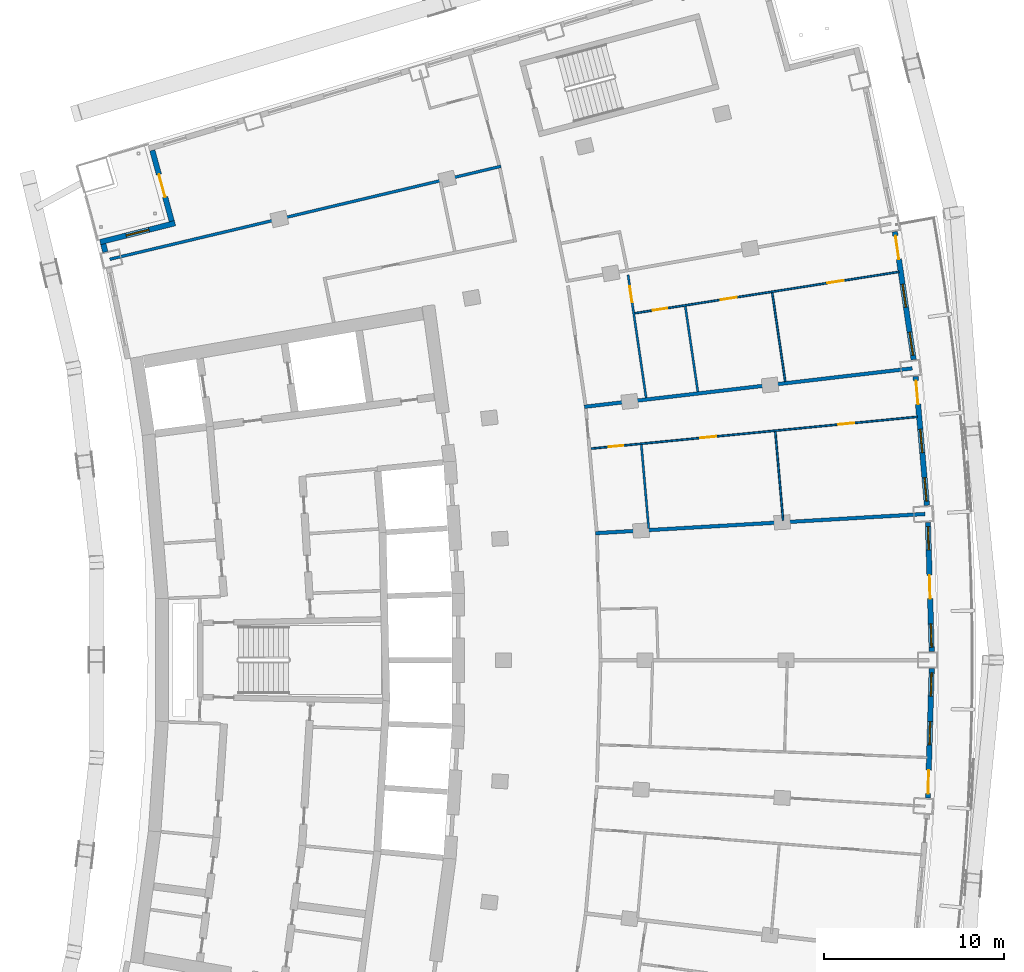
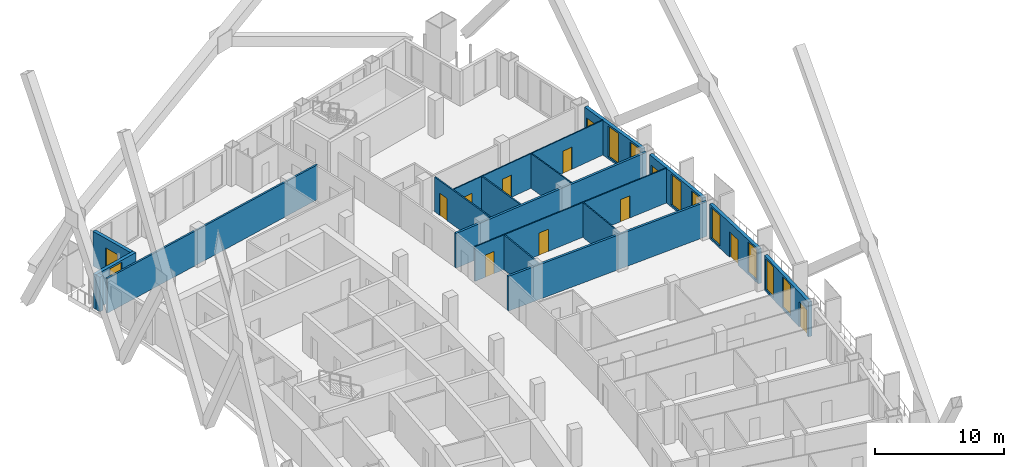
# One storey, part 16 of 22: 17 walls, 12 doors, 9 windows, 21 openings.
"""IFC4 building model written with IfcOpenShell, lengths in metres."""

from ifc_helpers import new_model, si_unit, direction, frame, frame_2d, origin, place, context, subcontext, project, spatial, rectangle, extrude, material, layer, layer_set, type_object, element, fill, save


model = new_model("IFC4")

# Units and contexts
model_context = context("Model", 3, precision=1e-05, world=origin(), true_north=direction((0.0, 1.0)))
body_context = subcontext(model_context, "Body", "Model", "MODEL_VIEW")
ifc_project = project(units=[si_unit("LENGTHUNIT", "METRE"), si_unit("AREAUNIT", "SQUARE_METRE"), si_unit("VOLUMEUNIT", "CUBIC_METRE"), si_unit("PLANEANGLEUNIT", "RADIAN"), si_unit("MASSUNIT", "GRAM", prefix="KILO")], contexts=[model_context])

# Site, building, storey
site_placement = place(None, origin())
site = spatial("IfcSite", under=ifc_project, at=site_placement, CompositionType="ELEMENT")
building_placement = place(site_placement, origin())
building = spatial("IfcBuilding", under=site, at=building_placement, Name="Alderwake Tower", CompositionType="ELEMENT")
storey_placement = place(building_placement, frame((0.0, 0.0, 160.39990234375)))
storey = spatial("IfcBuildingStorey", under=building, at=storey_placement, Name="L39", CompositionType="ELEMENT", Elevation=160.39990234375)

# Wall
ifc_material_1 = material(Name="Gypsum board on metal studs, rated")
ifc_layer_1 = layer(ifc_material_1, 0.159912109375)
ifc_layer_set_1 = layer_set([ifc_layer_1], Name="Corridor wall 160")
wall_type_1 = type_object("IfcWallType", Name="Corridor wall 160", PredefinedType="PARTITIONING", material=ifc_layer_set_1)
wall_1_placement = place(storey_placement, frame((13.884033203125, 83.31298828125, 0.0), z_axis=(0.0, 0.0, 1.0), x_axis=(0.972893462073, 0.231253781493, 0.0)))
element("IfcWall", 1, at=wall_1_placement, inside=storey, type_object=wall_type_1, Name="WL/L39/W11", PredefinedType="PARTITIONING", context=body_context, shape_type="SweptSolid", body=[
    extrude(rectangle(XDim=22.38037109375, YDim=0.159912109375, at=frame_2d((11.190185546875, 0.0))), origin(), (0.0, 0.0, 1.0), 3.280029296875),
])

# Wall, openings, door, windows
ifc_material_2 = material(Name="Precast concrete C50/60 spandrel panel", Category="concrete")
ifc_layer_2 = layer(ifc_material_2, 0.300048828125)
ifc_layer_set_2 = layer_set([ifc_layer_2], Name="External wall EW1 Precast concrete C50/60 spandrel")
wall_type_2 = type_object("IfcWallType", Name="External wall EW1 Precast concrete C50/60 spandrel", PredefinedType="SOLIDWALL", material=ifc_layer_set_2)
wall_2_placement = place(storey_placement, frame((59.42626953125, 53.331298828125, 0.0), z_axis=(0.0, 0.0, 1.0), x_axis=(0.029165845971, 0.999574586226, 0.0)))
wall_2 = element("IfcWall", 2, at=wall_2_placement, inside=storey, type_object=wall_type_2, Name="External wall 15", PredefinedType="SOLIDWALL", context=body_context, shape_type="SweptSolid", body=[
    extrude(rectangle(XDim=7.198974609375, YDim=0.300048828125, at=frame_2d((3.599609375, 0.0))), origin(), (0.0, 0.0, 1.0), 3.280029296875),
])
opening_1_placement = place(wall_2_placement, frame((0.2392578125, 0.0, 0.0)))
opening_1 = element("IfcOpeningElement", 3, at=opening_1_placement, cuts=wall_2, Name="Opening D05", PredefinedType="OPENING", context=body_context, shape_type="SweptSolid", body=[
    extrude(rectangle(XDim=1.300048828125, YDim=2.39990234375, at=frame_2d((0.64990234375, 1.199951171875))), frame((0.0, 0.159912109375, 0.0), z_axis=(0.0, -1.0, 0.0), x_axis=(1.0, 0.0, 0.0)), (0.0, 0.0, 1.0), 0.320068359375),
])
opening_2_placement = place(wall_2_placement, frame((2.949462890625, 0.0, 0.199951171875)))
opening_2 = element("IfcOpeningElement", 4, at=opening_2_placement, cuts=wall_2, Name="Opening W1", PredefinedType="OPENING", context=body_context, shape_type="SweptSolid", body=[
    extrude(rectangle(XDim=1.300048828125, YDim=2.89990234375, at=frame_2d((0.64990234375, 1.449951171875))), frame((0.0, 0.159912109375, 0.0), z_axis=(0.0, -1.0, 0.0), x_axis=(1.0, 0.0, 0.0)), (0.0, 0.0, 1.0), 0.320068359375),
])
opening_3_placement = place(wall_2_placement, frame((5.65966796875, 0.0, 0.199951171875)))
opening_3 = element("IfcOpeningElement", 5, at=opening_3_placement, cuts=wall_2, Name="Opening W1", PredefinedType="OPENING", context=body_context, shape_type="SweptSolid", body=[
    extrude(rectangle(XDim=1.300048828125, YDim=2.89990234375, at=frame_2d((0.64990234375, 1.449951171875))), frame((0.0, 0.159912109375, 0.0), z_axis=(0.0, -1.0, 0.0), x_axis=(1.0, 0.0, 0.0)), (0.0, 0.0, 1.0), 0.320068359375),
])
ifc_material_3 = material(Name="Bronze tinted glass in aluminium frame", Category="aluminium")
door_type_1 = type_object("IfcDoorType", Name="Balcony door BD sliding", OperationType="SLIDING_TO_LEFT", PredefinedType="DOOR", material=ifc_material_3)
door_1_placement = place(opening_1_placement, origin())
door_1 = element("IfcDoor", 6, at=door_1_placement, inside=storey, type_object=door_type_1, Name="Door D05", OperationType="SLIDING_TO_LEFT", OverallHeight=2.39990234375, OverallWidth=1.300048828125, PredefinedType="DOOR", context=body_context, shape_type="SweptSolid", body=[
    extrude(rectangle(XDim=1.300048828125, YDim=2.39990234375, at=frame_2d((0.64990234375, 1.199951171875))), frame((0.0, 0.02490234375, 0.0), z_axis=(0.0, -1.0, 0.0), x_axis=(1.0, 0.0, 0.0)), (0.0, 0.0, 1.0), 0.050048828125),
])
fill(opening_1, door_1)
ifc_material_4 = material(Name="Bronze tinted glass in aluminium frame", Category="aluminium")
window_type = type_object("IfcWindowType", Name="Window W1 tall fixed and vent", PartitioningType="DOUBLE_PANEL_VERTICAL", PredefinedType="WINDOW", material=ifc_material_4)
window_1_placement = place(opening_2_placement, origin())
window_1 = element("IfcWindow", 7, at=window_1_placement, inside=storey, type_object=window_type, Name="Window W1 tall fixed and vent", OverallHeight=2.89990234375, OverallWidth=1.300048828125, PartitioningType="DOUBLE_PANEL_VERTICAL", PredefinedType="WINDOW", context=body_context, shape_type="SweptSolid", body=[
    extrude(rectangle(XDim=1.300048828125, YDim=2.89990234375, at=frame_2d((0.64990234375, 1.449951171875))), frame((0.0, 0.030029296875, 0.0), z_axis=(0.0, -1.0, 0.0), x_axis=(1.0, 0.0, 0.0)), (0.0, 0.0, 1.0), 0.06005859375),
])
fill(opening_2, window_1)
window_2_placement = place(opening_3_placement, origin())
window_2 = element("IfcWindow", 8, at=window_2_placement, inside=storey, type_object=window_type, Name="Window W1 tall fixed and vent", OverallHeight=2.89990234375, OverallWidth=1.300048828125, PartitioningType="DOUBLE_PANEL_VERTICAL", PredefinedType="WINDOW", context=body_context, shape_type="SweptSolid", body=[
    extrude(rectangle(XDim=1.300048828125, YDim=2.89990234375, at=frame_2d((0.64990234375, 1.449951171875))), frame((0.0, 0.030029296875, 0.0), z_axis=(0.0, -1.0, 0.0), x_axis=(1.0, 0.0, 0.0)), (0.0, 0.0, 1.0), 0.06005859375),
])
fill(opening_3, window_2)

wall_3_placement = place(storey_placement, frame((59.63623046875, 61.472900390625, 0.0), z_axis=(0.0, 0.0, 1.0), x_axis=(-0.029165845971, 0.999574586226, 0.0)))
wall_3 = element("IfcWall", 9, at=wall_3_placement, inside=storey, type_object=wall_type_2, Name="External wall 16", PredefinedType="SOLIDWALL", context=body_context, shape_type="SweptSolid", body=[
    extrude(rectangle(XDim=7.198974609375, YDim=0.300048828125, at=frame_2d((3.599609375, 0.0))), origin(), (0.0, 0.0, 1.0), 3.280029296875),
])
opening_4_placement = place(wall_3_placement, frame((0.2392578125, 0.0, 0.199951171875)))
opening_4 = element("IfcOpeningElement", 10, at=opening_4_placement, cuts=wall_3, Name="Opening W1", PredefinedType="OPENING", context=body_context, shape_type="SweptSolid", body=[
    extrude(rectangle(XDim=1.300048828125, YDim=2.89990234375, at=frame_2d((0.64990234375, 1.449951171875))), frame((0.0, 0.159912109375, 0.0), z_axis=(0.0, -1.0, 0.0), x_axis=(1.0, 0.0, 0.0)), (0.0, 0.0, 1.0), 0.320068359375),
])
opening_5_placement = place(wall_3_placement, frame((2.949462890625, 0.0, 0.0)))
opening_5 = element("IfcOpeningElement", 11, at=opening_5_placement, cuts=wall_3, Name="Opening D06", PredefinedType="OPENING", context=body_context, shape_type="SweptSolid", body=[
    extrude(rectangle(XDim=1.300048828125, YDim=2.39990234375, at=frame_2d((0.64990234375, 1.199951171875))), frame((0.0, 0.159912109375, 0.0), z_axis=(0.0, -1.0, 0.0), x_axis=(1.0, 0.0, 0.0)), (0.0, 0.0, 1.0), 0.320068359375),
])
opening_6_placement = place(wall_3_placement, frame((5.65966796875, 0.0, 0.199951171875)))
opening_6 = element("IfcOpeningElement", 12, at=opening_6_placement, cuts=wall_3, Name="Opening W1", PredefinedType="OPENING", context=body_context, shape_type="SweptSolid", body=[
    extrude(rectangle(XDim=1.300048828125, YDim=2.89990234375, at=frame_2d((0.64990234375, 1.449951171875))), frame((0.0, 0.159912109375, 0.0), z_axis=(0.0, -1.0, 0.0), x_axis=(1.0, 0.0, 0.0)), (0.0, 0.0, 1.0), 0.320068359375),
])
door_2_placement = place(opening_5_placement, origin())
door_2 = element("IfcDoor", 13, at=door_2_placement, inside=storey, type_object=door_type_1, Name="Door D06", OperationType="SLIDING_TO_LEFT", OverallHeight=2.39990234375, OverallWidth=1.300048828125, PredefinedType="DOOR", context=body_context, shape_type="SweptSolid", body=[
    extrude(rectangle(XDim=1.300048828125, YDim=2.39990234375, at=frame_2d((0.64990234375, 1.199951171875))), frame((0.0, 0.02490234375, 0.0), z_axis=(0.0, -1.0, 0.0), x_axis=(1.0, 0.0, 0.0)), (0.0, 0.0, 1.0), 0.050048828125),
])
fill(opening_5, door_2)
window_3_placement = place(opening_4_placement, origin())
window_3 = element("IfcWindow", 14, at=window_3_placement, inside=storey, type_object=window_type, Name="Window W1 tall fixed and vent", OverallHeight=2.89990234375, OverallWidth=1.300048828125, PartitioningType="DOUBLE_PANEL_VERTICAL", PredefinedType="WINDOW", context=body_context, shape_type="SweptSolid", body=[
    extrude(rectangle(XDim=1.300048828125, YDim=2.89990234375, at=frame_2d((0.64990234375, 1.449951171875))), frame((0.0, 0.030029296875, 0.0), z_axis=(0.0, -1.0, 0.0), x_axis=(1.0, 0.0, 0.0)), (0.0, 0.0, 1.0), 0.06005859375),
])
fill(opening_4, window_3)
window_4_placement = place(opening_6_placement, origin())
window_4 = element("IfcWindow", 15, at=window_4_placement, inside=storey, type_object=window_type, Name="Window W1 tall fixed and vent", OverallHeight=2.89990234375, OverallWidth=1.300048828125, PartitioningType="DOUBLE_PANEL_VERTICAL", PredefinedType="WINDOW", context=body_context, shape_type="SweptSolid", body=[
    extrude(rectangle(XDim=1.300048828125, YDim=2.89990234375, at=frame_2d((0.64990234375, 1.449951171875))), frame((0.0, 0.030029296875, 0.0), z_axis=(0.0, -1.0, 0.0), x_axis=(1.0, 0.0, 0.0)), (0.0, 0.0, 1.0), 0.06005859375),
])
fill(opening_6, window_4)

wall_4_placement = place(storey_placement, frame((59.37109375, 69.613037109375, 0.0), z_axis=(0.0, 0.0, 1.0), x_axis=(-0.087397918497, 0.996173480797, 0.0)))
wall_4 = element("IfcWall", 16, at=wall_4_placement, inside=storey, type_object=wall_type_2, Name="External wall 17", PredefinedType="SOLIDWALL", context=body_context, shape_type="SweptSolid", body=[
    extrude(rectangle(XDim=7.19873046875, YDim=0.300048828125, at=frame_2d((3.599365234375, 0.0))), origin(), (0.0, 0.0, 1.0), 3.280029296875),
])
opening_7_placement = place(wall_4_placement, frame((0.2392578125, 0.0, 0.199951171875)))
opening_7 = element("IfcOpeningElement", 17, at=opening_7_placement, cuts=wall_4, Name="Opening W1", PredefinedType="OPENING", context=body_context, shape_type="SweptSolid", body=[
    extrude(rectangle(XDim=1.300048828125, YDim=2.89990234375, at=frame_2d((0.64990234375, 1.449951171875))), frame((0.0, 0.159912109375, 0.0), z_axis=(0.0, -1.0, 0.0), x_axis=(1.0, 0.0, 0.0)), (0.0, 0.0, 1.0), 0.320068359375),
])
opening_8_placement = place(wall_4_placement, frame((2.949462890625, 0.0, 0.199951171875)))
opening_8 = element("IfcOpeningElement", 18, at=opening_8_placement, cuts=wall_4, Name="Opening W1", PredefinedType="OPENING", context=body_context, shape_type="SweptSolid", body=[
    extrude(rectangle(XDim=1.300048828125, YDim=2.89990234375, at=frame_2d((0.64990234375, 1.449951171875))), frame((0.0, 0.159912109375, 0.0), z_axis=(0.0, -1.0, 0.0), x_axis=(1.0, 0.0, 0.0)), (0.0, 0.0, 1.0), 0.320068359375),
])
opening_9_placement = place(wall_4_placement, frame((5.65966796875, 0.0, 0.0)))
opening_9 = element("IfcOpeningElement", 19, at=opening_9_placement, cuts=wall_4, Name="Opening D07", PredefinedType="OPENING", context=body_context, shape_type="SweptSolid", body=[
    extrude(rectangle(XDim=1.300048828125, YDim=2.39990234375, at=frame_2d((0.64990234375, 1.199951171875))), frame((0.0, 0.159912109375, 0.0), z_axis=(0.0, -1.0, 0.0), x_axis=(1.0, 0.0, 0.0)), (0.0, 0.0, 1.0), 0.320068359375),
])
door_3_placement = place(opening_9_placement, origin())
door_3 = element("IfcDoor", 20, at=door_3_placement, inside=storey, type_object=door_type_1, Name="Door D07", OperationType="SLIDING_TO_LEFT", OverallHeight=2.39990234375, OverallWidth=1.300048828125, PredefinedType="DOOR", context=body_context, shape_type="SweptSolid", body=[
    extrude(rectangle(XDim=1.300048828125, YDim=2.39990234375, at=frame_2d((0.64990234375, 1.199951171875))), frame((0.0, 0.02490234375, 0.0), z_axis=(0.0, -1.0, 0.0), x_axis=(1.0, 0.0, 0.0)), (0.0, 0.0, 1.0), 0.050048828125),
])
fill(opening_9, door_3)
window_5_placement = place(opening_7_placement, origin())
window_5 = element("IfcWindow", 21, at=window_5_placement, inside=storey, type_object=window_type, Name="Window W1 tall fixed and vent", OverallHeight=2.89990234375, OverallWidth=1.300048828125, PartitioningType="DOUBLE_PANEL_VERTICAL", PredefinedType="WINDOW", context=body_context, shape_type="SweptSolid", body=[
    extrude(rectangle(XDim=1.300048828125, YDim=2.89990234375, at=frame_2d((0.64990234375, 1.449951171875))), frame((0.0, 0.030029296875, 0.0), z_axis=(0.0, -1.0, 0.0), x_axis=(1.0, 0.0, 0.0)), (0.0, 0.0, 1.0), 0.06005859375),
])
fill(opening_7, window_5)
window_6_placement = place(opening_8_placement, origin())
window_6 = element("IfcWindow", 22, at=window_6_placement, inside=storey, type_object=window_type, Name="Window W1 tall fixed and vent", OverallHeight=2.89990234375, OverallWidth=1.300048828125, PartitioningType="DOUBLE_PANEL_VERTICAL", PredefinedType="WINDOW", context=body_context, shape_type="SweptSolid", body=[
    extrude(rectangle(XDim=1.300048828125, YDim=2.89990234375, at=frame_2d((0.64990234375, 1.449951171875))), frame((0.0, 0.030029296875, 0.0), z_axis=(0.0, -1.0, 0.0), x_axis=(1.0, 0.0, 0.0)), (0.0, 0.0, 1.0), 0.06005859375),
])
fill(opening_8, window_6)

wall_5_placement = place(storey_placement, frame((58.6318359375, 77.7236328125, 0.0), z_axis=(0.0, 0.0, 1.0), x_axis=(-0.145318248107, 0.989384963888, 0.0)))
wall_5 = element("IfcWall", 23, at=wall_5_placement, inside=storey, type_object=wall_type_2, Name="External wall 18", PredefinedType="SOLIDWALL", context=body_context, shape_type="SweptSolid", body=[
    extrude(rectangle(XDim=7.198974609375, YDim=0.300048828125, at=frame_2d((3.599609375, 0.0))), origin(), (0.0, 0.0, 1.0), 3.280029296875),
])
opening_10_placement = place(wall_5_placement, frame((0.2392578125, 0.0, 0.199951171875)))
opening_10 = element("IfcOpeningElement", 24, at=opening_10_placement, cuts=wall_5, Name="Opening W1", PredefinedType="OPENING", context=body_context, shape_type="SweptSolid", body=[
    extrude(rectangle(XDim=1.300048828125, YDim=2.89990234375, at=frame_2d((0.64990234375, 1.449951171875))), frame((0.0, 0.159912109375, 0.0), z_axis=(0.0, -1.0, 0.0), x_axis=(1.0, 0.0, 0.0)), (0.0, 0.0, 1.0), 0.320068359375),
])
opening_11_placement = place(wall_5_placement, frame((2.949462890625, 0.0, 0.199951171875)))
opening_11 = element("IfcOpeningElement", 25, at=opening_11_placement, cuts=wall_5, Name="Opening W1", PredefinedType="OPENING", context=body_context, shape_type="SweptSolid", body=[
    extrude(rectangle(XDim=1.300048828125, YDim=2.89990234375, at=frame_2d((0.64990234375, 1.449951171875))), frame((0.0, 0.159912109375, 0.0), z_axis=(0.0, -1.0, 0.0), x_axis=(1.0, 0.0, 0.0)), (0.0, 0.0, 1.0), 0.320068359375),
])
opening_12_placement = place(wall_5_placement, frame((5.65966796875, 0.0, 0.0)))
opening_12 = element("IfcOpeningElement", 26, at=opening_12_placement, cuts=wall_5, Name="Opening D08", PredefinedType="OPENING", context=body_context, shape_type="SweptSolid", body=[
    extrude(rectangle(XDim=1.300048828125, YDim=2.39990234375, at=frame_2d((0.64990234375, 1.199951171875))), frame((0.0, 0.159912109375, 0.0), z_axis=(0.0, -1.0, 0.0), x_axis=(1.0, 0.0, 0.0)), (0.0, 0.0, 1.0), 0.320068359375),
])
door_4_placement = place(opening_12_placement, origin())
door_4 = element("IfcDoor", 27, at=door_4_placement, inside=storey, type_object=door_type_1, Name="Door D08", OperationType="SLIDING_TO_LEFT", OverallHeight=2.39990234375, OverallWidth=1.300048828125, PredefinedType="DOOR", context=body_context, shape_type="SweptSolid", body=[
    extrude(rectangle(XDim=1.300048828125, YDim=2.39990234375, at=frame_2d((0.64990234375, 1.199951171875))), frame((0.0, 0.02490234375, 0.0), z_axis=(0.0, -1.0, 0.0), x_axis=(1.0, 0.0, 0.0)), (0.0, 0.0, 1.0), 0.050048828125),
])
fill(opening_12, door_4)
window_7_placement = place(opening_10_placement, origin())
window_7 = element("IfcWindow", 28, at=window_7_placement, inside=storey, type_object=window_type, Name="Window W1 tall fixed and vent", OverallHeight=2.89990234375, OverallWidth=1.300048828125, PartitioningType="DOUBLE_PANEL_VERTICAL", PredefinedType="WINDOW", context=body_context, shape_type="SweptSolid", body=[
    extrude(rectangle(XDim=1.300048828125, YDim=2.89990234375, at=frame_2d((0.64990234375, 1.449951171875))), frame((0.0, 0.030029296875, 0.0), z_axis=(0.0, -1.0, 0.0), x_axis=(1.0, 0.0, 0.0)), (0.0, 0.0, 1.0), 0.06005859375),
])
fill(opening_10, window_7)
window_8_placement = place(opening_11_placement, origin())
window_8 = element("IfcWindow", 29, at=window_8_placement, inside=storey, type_object=window_type, Name="Window W1 tall fixed and vent", OverallHeight=2.89990234375, OverallWidth=1.300048828125, PartitioningType="DOUBLE_PANEL_VERTICAL", PredefinedType="WINDOW", context=body_context, shape_type="SweptSolid", body=[
    extrude(rectangle(XDim=1.300048828125, YDim=2.89990234375, at=frame_2d((0.64990234375, 1.449951171875))), frame((0.0, 0.030029296875, 0.0), z_axis=(0.0, -1.0, 0.0), x_axis=(1.0, 0.0, 0.0)), (0.0, 0.0, 1.0), 0.06005859375),
])
fill(opening_11, window_8)

# Wall
wall_6_placement = place(storey_placement, frame((13.523193359375, 84.1572265625, 0.0), z_axis=(0.0, 0.0, 1.0), x_axis=(0.238729806706, -0.97108603089, 0.0)))
element("IfcWall", 30, at=wall_6_placement, inside=storey, type_object=wall_type_2, Name="External wall 30", PredefinedType="SOLIDWALL", context=body_context, shape_type="SweptSolid", body=[
    extrude(rectangle(XDim=0.453125, YDim=0.300048828125, at=frame_2d((0.2265625, 0.0))), origin(), (0.0, 0.0, 1.0), 3.280029296875),
])

# Wall, opening, door
ifc_material_5 = material(Name="Bronze metal cladding on lightweight framing")
ifc_layer_3 = layer(ifc_material_5, 0.300048828125)
ifc_layer_set_3 = layer_set([ifc_layer_3], Name="External wall EW2 bronze metal cladding")
wall_type_3 = type_object("IfcWallType", Name="External wall EW2 bronze metal cladding", PredefinedType="SOLIDWALL", material=ifc_layer_set_3)
wall_7_placement = place(storey_placement, frame((16.248779296875, 89.374755859375, 0.0), z_axis=(0.0, 0.0, 1.0), x_axis=(0.264607053468, -0.964356317579, 0.0)))
wall_7 = element("IfcWall", 31, at=wall_7_placement, inside=storey, type_object=wall_type_3, Name="External wall 28", PredefinedType="SOLIDWALL", context=body_context, shape_type="SweptSolid", body=[
    extrude(rectangle(XDim=4.090087890625, YDim=0.300048828125, at=frame_2d((2.044921875, 0.0))), origin(), (0.0, 0.0, 1.0), 3.280029296875),
])
opening_13_placement = place(wall_7_placement, frame((1.39501953125, 0.0, 0.0)))
opening_13 = element("IfcOpeningElement", 32, at=opening_13_placement, cuts=wall_7, Name="Opening D09", PredefinedType="OPENING", context=body_context, shape_type="SweptSolid", body=[
    extrude(rectangle(XDim=1.300048828125, YDim=2.39990234375, at=frame_2d((0.64990234375, 1.199951171875))), frame((0.0, 0.159912109375, 0.0), z_axis=(0.0, -1.0, 0.0), x_axis=(1.0, 0.0, 0.0)), (0.0, 0.0, 1.0), 0.320068359375),
])
door_5_placement = place(opening_13_placement, origin())
door_5 = element("IfcDoor", 33, at=door_5_placement, inside=storey, type_object=door_type_1, Name="Door D09", OperationType="SLIDING_TO_LEFT", OverallHeight=2.39990234375, OverallWidth=1.300048828125, PredefinedType="DOOR", context=body_context, shape_type="SweptSolid", body=[
    extrude(rectangle(XDim=1.300048828125, YDim=2.39990234375, at=frame_2d((0.64990234375, 1.199951171875))), frame((0.0, 0.02490234375, 0.0), z_axis=(0.0, -1.0, 0.0), x_axis=(1.0, 0.0, 0.0)), (0.0, 0.0, 1.0), 0.050048828125),
])
fill(opening_13, door_5)

# Wall, opening, window
wall_8_placement = place(storey_placement, frame((17.51611328125, 85.32275390625, 0.0), z_axis=(0.0, 0.0, 1.0), x_axis=(-0.969417740682, -0.245416470617, 0.0)))
wall_8 = element("IfcWall", 34, at=wall_8_placement, inside=storey, type_object=wall_type_3, Name="External wall 29", PredefinedType="SOLIDWALL", context=body_context, shape_type="SweptSolid", body=[
    extrude(rectangle(XDim=4.305419921875, YDim=0.300048828125, at=frame_2d((2.15283203125, 0.0))), origin(), (0.0, 0.0, 1.0), 3.280029296875),
])
opening_14_placement = place(wall_8_placement, frame((1.502685546875, 0.0, 0.199951171875)))
opening_14 = element("IfcOpeningElement", 35, at=opening_14_placement, cuts=wall_8, Name="Opening W1", PredefinedType="OPENING", context=body_context, shape_type="SweptSolid", body=[
    extrude(rectangle(XDim=1.300048828125, YDim=2.89990234375, at=frame_2d((0.64990234375, 1.449951171875))), frame((0.0, 0.159912109375, 0.0), z_axis=(0.0, -1.0, 0.0), x_axis=(1.0, 0.0, 0.0)), (0.0, 0.0, 1.0), 0.320068359375),
])
window_9_placement = place(opening_14_placement, origin())
window_9 = element("IfcWindow", 36, at=window_9_placement, inside=storey, type_object=window_type, Name="Window W1 tall fixed and vent", OverallHeight=2.89990234375, OverallWidth=1.300048828125, PartitioningType="DOUBLE_PANEL_VERTICAL", PredefinedType="WINDOW", context=body_context, shape_type="SweptSolid", body=[
    extrude(rectangle(XDim=1.300048828125, YDim=2.89990234375, at=frame_2d((0.64990234375, 1.449951171875))), frame((0.0, 0.030029296875, 0.0), z_axis=(0.0, -1.0, 0.0), x_axis=(1.0, 0.0, 0.0)), (0.0, 0.0, 1.0), 0.06005859375),
])
fill(opening_14, window_9)

# Walls
ifc_material_6 = material(Name="Dense block masonry wall", Category="masonry")
ifc_layer_4 = layer(ifc_material_6, 0.199951171875)
ifc_layer_set_4 = layer_set([ifc_layer_4], Name="Party wall 200")
wall_type_4 = type_object("IfcWallType", Name="Party wall 200", PredefinedType="SOLIDWALL", material=ifc_layer_set_4)
wall_9_placement = place(storey_placement, frame((40.297607421875, 75.0986328125, 0.0), z_axis=(0.0, 0.0, 1.0), x_axis=(0.993201379806, 0.116408844812, 0.0)))
element("IfcWall", 37, at=wall_9_placement, inside=storey, type_object=wall_type_4, Name="WL/L39/W02", PredefinedType="SOLIDWALL", context=body_context, shape_type="SweptSolid", body=[
    extrude(rectangle(XDim=18.37841796875, YDim=0.199951171875, at=frame_2d((9.189208984375, 0.0))), origin(), (0.0, 0.0, 1.0), 3.280029296875),
])
wall_10_placement = place(storey_placement, frame((59.261962890625, 69.132080078125, 0.0), z_axis=(0.0, 0.0, 1.0), x_axis=(-0.99830424713, -0.058211941755, 0.0)))
element("IfcWall", 38, at=wall_10_placement, inside=storey, type_object=wall_type_4, Name="WL/L39/W04", PredefinedType="SOLIDWALL", context=body_context, shape_type="SweptSolid", body=[
    extrude(rectangle(XDim=18.378173828125, YDim=0.199951171875, at=frame_2d((9.18896484375, 0.0))), origin(), (0.0, 0.0, 1.0), 3.280029296875),
])

# Wall, openings, doors
ifc_material_7 = material(Name="Gypsum board on metal studs")
ifc_layer_5 = layer(ifc_material_7, 0.10009765625)
ifc_layer_set_5 = layer_set([ifc_layer_5], Name="Unit partition 100")
wall_type_5 = type_object("IfcWallType", Name="Unit partition 100", PredefinedType="PARTITIONING", material=ifc_layer_set_5)
wall_11_placement = place(storey_placement, frame((58.839111328125, 74.541015625, 0.0), z_axis=(0.0, 0.0, 1.0), x_axis=(-0.995286630544, -0.096976920246, 0.0)))
wall_11 = element("IfcWall", 39, at=wall_11_placement, inside=storey, type_object=wall_type_5, Name="WL/L39/W44", PredefinedType="PARTITIONING", context=body_context, shape_type="SweptSolid", body=[
    extrude(rectangle(XDim=18.2646484375, YDim=0.10009765625, at=frame_2d((9.13232421875, 0.0))), origin(), (0.0, 0.0, 1.0), 3.280029296875),
])
opening_15_placement = place(wall_11_placement, frame((11.247802734375, 0.0, 0.0)))
opening_15 = element("IfcOpeningElement", 40, at=opening_15_placement, cuts=wall_11, Name="Opening R11-U07.1", PredefinedType="OPENING", context=body_context, shape_type="SweptSolid", body=[
    extrude(rectangle(XDim=0.89990234375, YDim=2.10009765625, at=frame_2d((0.449951171875, 1.050048828125))), frame((0.0, 0.06005859375, 0.0), z_axis=(0.0, -1.0, 0.0), x_axis=(1.0, 0.0, 0.0)), (0.0, 0.0, 1.0), 0.1201171875),
])
opening_16_placement = place(wall_11_placement, frame((16.45458984375, 0.0, 0.0)))
opening_16 = element("IfcOpeningElement", 41, at=opening_16_placement, cuts=wall_11, Name="Opening R11-U07.3", PredefinedType="OPENING", context=body_context, shape_type="SweptSolid", body=[
    extrude(rectangle(XDim=0.800048828125, YDim=2.10009765625, at=frame_2d((0.39990234375, 1.050048828125))), frame((0.0, 0.06005859375, 0.0), z_axis=(0.0, -1.0, 0.0), x_axis=(1.0, 0.0, 0.0)), (0.0, 0.0, 1.0), 0.1201171875),
])
opening_17_placement = place(wall_11_placement, frame((3.526123046875, 0.0, 0.0)))
opening_17 = element("IfcOpeningElement", 42, at=opening_17_placement, cuts=wall_11, Name="Opening R11-U07.4", PredefinedType="OPENING", context=body_context, shape_type="SweptSolid", body=[
    extrude(rectangle(XDim=0.89990234375, YDim=2.10009765625, at=frame_2d((0.449951171875, 1.050048828125))), frame((0.0, 0.06005859375, 0.0), z_axis=(0.0, -1.0, 0.0), x_axis=(1.0, 0.0, 0.0)), (0.0, 0.0, 1.0), 0.1201171875),
])
ifc_material_8 = material(Name="Painted timber leaf", Category="wood")
door_type_2 = type_object("IfcDoorType", Name="Bathroom door 800", OperationType="SINGLE_SWING_LEFT", PredefinedType="DOOR", material=ifc_material_8)
door_6_placement = place(opening_16_placement, origin())
door_6 = element("IfcDoor", 43, at=door_6_placement, inside=storey, type_object=door_type_2, Name="DR/L39/U07.3", OperationType="SINGLE_SWING_LEFT", OverallHeight=2.10009765625, OverallWidth=0.800048828125, PredefinedType="DOOR", context=body_context, shape_type="SweptSolid", body=[
    extrude(rectangle(XDim=0.800048828125, YDim=2.10009765625, at=frame_2d((0.39990234375, 1.050048828125))), frame((0.0, 0.02490234375, 0.0), z_axis=(0.0, -1.0, 0.0), x_axis=(1.0, 0.0, 0.0)), (0.0, 0.0, 1.0), 0.050048828125),
])
fill(opening_16, door_6)
ifc_material_9 = material(Name="Painted timber leaf", Category="wood")
door_type_3 = type_object("IfcDoorType", Name="Room door 900", OperationType="SINGLE_SWING_LEFT", PredefinedType="DOOR", material=ifc_material_9)
door_7_placement = place(opening_15_placement, origin())
door_7 = element("IfcDoor", 44, at=door_7_placement, inside=storey, type_object=door_type_3, Name="DR/L39/U07.1", OperationType="SINGLE_SWING_LEFT", OverallHeight=2.10009765625, OverallWidth=0.89990234375, PredefinedType="DOOR", context=body_context, shape_type="SweptSolid", body=[
    extrude(rectangle(XDim=0.89990234375, YDim=2.10009765625, at=frame_2d((0.449951171875, 1.050048828125))), frame((0.0, 0.02490234375, 0.0), z_axis=(0.0, -1.0, 0.0), x_axis=(1.0, 0.0, 0.0)), (0.0, 0.0, 1.0), 0.050048828125),
])
fill(opening_15, door_7)
door_8_placement = place(opening_17_placement, origin())
door_8 = element("IfcDoor", 45, at=door_8_placement, inside=storey, type_object=door_type_3, Name="DR/L39/U07.4", OperationType="SINGLE_SWING_LEFT", OverallHeight=2.10009765625, OverallWidth=0.89990234375, PredefinedType="DOOR", context=body_context, shape_type="SweptSolid", body=[
    extrude(rectangle(XDim=0.89990234375, YDim=2.10009765625, at=frame_2d((0.449951171875, 1.050048828125))), frame((0.0, 0.02490234375, 0.0), z_axis=(0.0, -1.0, 0.0), x_axis=(1.0, 0.0, 0.0)), (0.0, 0.0, 1.0), 0.050048828125),
])
fill(opening_17, door_8)

wall_12_placement = place(storey_placement, frame((57.81298828125, 82.611083984375, 0.0), z_axis=(0.0, 0.0, 1.0), x_axis=(-0.987947676948, -0.154788202432, 0.0)))
wall_12 = element("IfcWall", 46, at=wall_12_placement, inside=storey, type_object=wall_type_5, Name="WL/L39/W47", PredefinedType="PARTITIONING", context=body_context, shape_type="SweptSolid", body=[
    extrude(rectangle(XDim=14.883056640625, YDim=0.10009765625, at=frame_2d((7.44140625, 0.0))), origin(), (0.0, 0.0, 1.0), 3.280029296875),
])
opening_18_placement = place(wall_12_placement, frame((9.147216796875, 0.0, 0.0)))
opening_18 = element("IfcOpeningElement", 47, at=opening_18_placement, cuts=wall_12, Name="Opening R11-U08.1", PredefinedType="OPENING", context=body_context, shape_type="SweptSolid", body=[
    extrude(rectangle(XDim=0.89990234375, YDim=2.10009765625, at=frame_2d((0.449951171875, 1.050048828125))), frame((0.0, 0.06005859375, 0.0), z_axis=(0.0, -1.0, 0.0), x_axis=(1.0, 0.0, 0.0)), (0.0, 0.0, 1.0), 0.1201171875),
])
opening_19_placement = place(wall_12_placement, frame((13.064208984375, 0.0, 0.0)))
opening_19 = element("IfcOpeningElement", 48, at=opening_19_placement, cuts=wall_12, Name="Opening R11-U08.4", PredefinedType="OPENING", context=body_context, shape_type="SweptSolid", body=[
    extrude(rectangle(XDim=0.800048828125, YDim=2.10009765625, at=frame_2d((0.39990234375, 1.050048828125))), frame((0.0, 0.06005859375, 0.0), z_axis=(0.0, -1.0, 0.0), x_axis=(1.0, 0.0, 0.0)), (0.0, 0.0, 1.0), 0.1201171875),
])
opening_20_placement = place(wall_12_placement, frame((3.124755859375, 0.0, 0.0)))
opening_20 = element("IfcOpeningElement", 49, at=opening_20_placement, cuts=wall_12, Name="Opening R11-U08.5", PredefinedType="OPENING", context=body_context, shape_type="SweptSolid", body=[
    extrude(rectangle(XDim=0.89990234375, YDim=2.10009765625, at=frame_2d((0.449951171875, 1.050048828125))), frame((0.0, 0.06005859375, 0.0), z_axis=(0.0, -1.0, 0.0), x_axis=(1.0, 0.0, 0.0)), (0.0, 0.0, 1.0), 0.1201171875),
])
door_9_placement = place(opening_19_placement, origin())
door_9 = element("IfcDoor", 50, at=door_9_placement, inside=storey, type_object=door_type_2, Name="DR/L39/U08.4", OperationType="SINGLE_SWING_LEFT", OverallHeight=2.10009765625, OverallWidth=0.800048828125, PredefinedType="DOOR", context=body_context, shape_type="SweptSolid", body=[
    extrude(rectangle(XDim=0.800048828125, YDim=2.10009765625, at=frame_2d((0.39990234375, 1.050048828125))), frame((0.0, 0.02490234375, 0.0), z_axis=(0.0, -1.0, 0.0), x_axis=(1.0, 0.0, 0.0)), (0.0, 0.0, 1.0), 0.050048828125),
])
fill(opening_19, door_9)
door_10_placement = place(opening_18_placement, origin())
door_10 = element("IfcDoor", 51, at=door_10_placement, inside=storey, type_object=door_type_3, Name="DR/L39/U08.1", OperationType="SINGLE_SWING_LEFT", OverallHeight=2.10009765625, OverallWidth=0.89990234375, PredefinedType="DOOR", context=body_context, shape_type="SweptSolid", body=[
    extrude(rectangle(XDim=0.89990234375, YDim=2.10009765625, at=frame_2d((0.449951171875, 1.050048828125))), frame((0.0, 0.02490234375, 0.0), z_axis=(0.0, -1.0, 0.0), x_axis=(1.0, 0.0, 0.0)), (0.0, 0.0, 1.0), 0.050048828125),
])
fill(opening_18, door_10)
door_11_placement = place(opening_20_placement, origin())
door_11 = element("IfcDoor", 52, at=door_11_placement, inside=storey, type_object=door_type_3, Name="DR/L39/U08.5", OperationType="SINGLE_SWING_LEFT", OverallHeight=2.10009765625, OverallWidth=0.89990234375, PredefinedType="DOOR", context=body_context, shape_type="SweptSolid", body=[
    extrude(rectangle(XDim=0.89990234375, YDim=2.10009765625, at=frame_2d((0.449951171875, 1.050048828125))), frame((0.0, 0.02490234375, 0.0), z_axis=(0.0, -1.0, 0.0), x_axis=(1.0, 0.0, 0.0)), (0.0, 0.0, 1.0), 0.050048828125),
])
fill(opening_20, door_11)

# Walls
wall_13_placement = place(storey_placement, frame((51.36328125, 68.772705078125, 0.0), z_axis=(0.0, 0.0, 1.0), x_axis=(-0.087352937881, 0.996177426086, 0.0)))
element("IfcWall", 53, at=wall_13_placement, inside=storey, type_object=wall_type_5, Name="WL/L39/W52", PredefinedType="PARTITIONING", context=body_context, shape_type="SweptSolid", body=[
    extrude(rectangle(XDim=4.966552734375, YDim=0.10009765625, at=frame_2d((2.4833984375, 0.0))), origin(), (0.0, 0.0, 1.0), 3.280029296875),
])
wall_14_placement = place(storey_placement, frame((51.4833984375, 76.509033203125, 0.0), z_axis=(0.0, 0.0, 1.0), x_axis=(-0.14506509727, 0.98942211293, 0.0)))
element("IfcWall", 54, at=wall_14_placement, inside=storey, type_object=wall_type_5, Name="WL/L39/W54", PredefinedType="PARTITIONING", context=body_context, shape_type="SweptSolid", body=[
    extrude(rectangle(XDim=4.99853515625, YDim=0.10009765625, at=frame_2d((2.499267578125, 0.0))), origin(), (0.0, 0.0, 1.0), 3.280029296875),
])

# Wall, opening, door
ifc_material_10 = material(Name="Moisture resistant gypsum board on metal studs")
ifc_layer_6 = layer(ifc_material_10, 0.1201171875)
ifc_layer_set_6 = layer_set([ifc_layer_6], Name="Wet room partition 120")
wall_type_6 = type_object("IfcWallType", Name="Wet room partition 120", PredefinedType="PARTITIONING", material=ifc_layer_set_6)
wall_15_placement = place(storey_placement, frame((42.732421875, 82.44775390625, 0.0), z_axis=(0.0, 0.0, 1.0), x_axis=(0.14528876176, -0.989389294316, 0.0)))
wall_15 = element("IfcWall", 55, at=wall_15_placement, inside=storey, type_object=wall_type_6, Name="WL/L39/W35", PredefinedType="PARTITIONING", context=body_context, shape_type="SweptSolid", body=[
    extrude(rectangle(XDim=6.918212890625, YDim=0.1201171875, at=frame_2d((3.458984375, 0.0))), origin(), (0.0, 0.0, 1.0), 3.280029296875),
])
opening_21_placement = place(wall_15_placement, frame((0.63671875, 0.0, 0.0)))
opening_21 = element("IfcOpeningElement", 56, at=opening_21_placement, cuts=wall_15, Name="Opening R11-U08.3", PredefinedType="OPENING", context=body_context, shape_type="SweptSolid", body=[
    extrude(rectangle(XDim=0.89990234375, YDim=2.10009765625, at=frame_2d((0.449951171875, 1.050048828125))), frame((0.0, 0.070068359375, 0.0), z_axis=(0.0, -1.0, 0.0), x_axis=(1.0, 0.0, 0.0)), (0.0, 0.0, 1.0), 0.14013671875),
])
door_12_placement = place(opening_21_placement, origin())
door_12 = element("IfcDoor", 57, at=door_12_placement, inside=storey, type_object=door_type_3, Name="DR/L39/U08.3", OperationType="SINGLE_SWING_LEFT", OverallHeight=2.10009765625, OverallWidth=0.89990234375, PredefinedType="DOOR", context=body_context, shape_type="SweptSolid", body=[
    extrude(rectangle(XDim=0.89990234375, YDim=2.10009765625, at=frame_2d((0.449951171875, 1.050048828125))), frame((0.0, 0.02490234375, 0.0), z_axis=(0.0, -1.0, 0.0), x_axis=(1.0, 0.0, 0.0)), (0.0, 0.0, 1.0), 0.050048828125),
])
fill(opening_21, door_12)

# Walls
wall_16_placement = place(storey_placement, frame((43.881103515625, 68.334716796875, 0.0), z_axis=(0.0, 0.0, 1.0), x_axis=(-0.087639255618, 0.996152277955, 0.0)))
element("IfcWall", 58, at=wall_16_placement, inside=storey, type_object=wall_type_6, Name="WL/L39/W37", PredefinedType="PARTITIONING", context=body_context, shape_type="SweptSolid", body=[
    extrude(rectangle(XDim=4.674560546875, YDim=0.1201171875, at=frame_2d((2.33740234375, 0.0))), origin(), (0.0, 0.0, 1.0), 3.280029296875),
])
wall_17_placement = place(storey_placement, frame((46.617431640625, 75.93896484375, 0.0), z_axis=(0.0, 0.0, 1.0), x_axis=(-0.145238137818, 0.989396726962, 0.0)))
element("IfcWall", 59, at=wall_17_placement, inside=storey, type_object=wall_type_6, Name="WL/L39/W42", PredefinedType="PARTITIONING", context=body_context, shape_type="SweptSolid", body=[
    extrude(rectangle(XDim=4.8076171875, YDim=0.1201171875, at=frame_2d((2.40380859375, 0.0))), origin(), (0.0, 0.0, 1.0), 3.280029296875),
])

save(model, "model.ifc")
